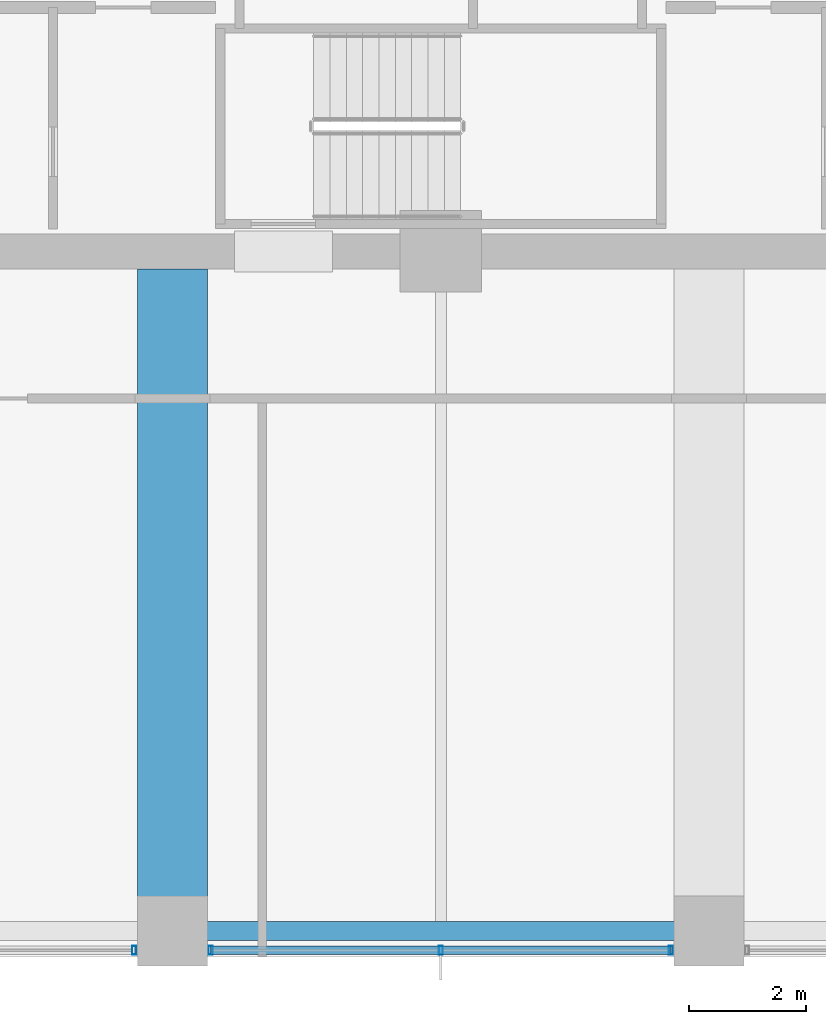
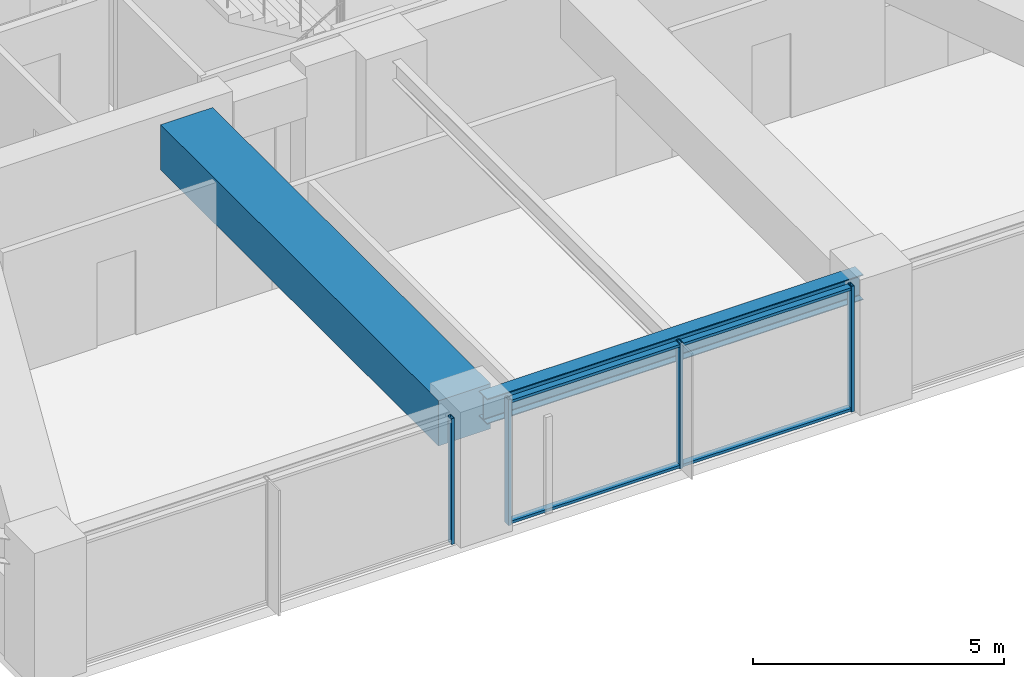
# One storey, part 5 of 39: 6 members, 2 beams, 2 elements without a shape of their own.
"""IFC4 building model written with IfcOpenShell, lengths in metres."""

import ifcopenshell
import ifcopenshell.guid

model = None  # the IFC model being written
_history = None  # IfcOwnerHistory: only IFC2X3 demands one
_inside = {}  # id of a spatial element -> (the spatial element, [elements in it])
_under = {}  # id of a project, library or spatial element -> (it, [spatial elements below it])
_declared = {}  # id of a project -> (the project, [libraries it declares])
_typed = {}  # id of a type object -> (the type object, [elements of that type])
_made_of = {}  # id of a material, layer set ... -> (it, [elements and type objects made of it])


def new_model(schema):
    """Start an empty IFC model of exactly this schema.

    Asked for "IFC4X3", IfcOpenShell would pick the latest addendum, in which some entities
    have other attributes; the version numbers below select the first issue.
    IFC2X3 requires an IfcOwnerHistory on every rooted entity: one is made here for all.
    """
    global model, _history
    if schema == "IFC4X3":
        model = ifcopenshell.file(schema_version=(4, 3, 0, 0))
    else:
        model = ifcopenshell.file(schema=schema)
    _inside.clear()
    _under.clear()
    _declared.clear()
    _typed.clear()
    _made_of.clear()
    _history = None
    if model.schema == "IFC2X3":
        org = make("IfcOrganization", Name="unknown")
        user = make(
            "IfcPersonAndOrganization",
            ThePerson=make("IfcPerson", FamilyName="unknown"),
            TheOrganization=org,
        )
        app = make(
            "IfcApplication",
            ApplicationDeveloper=org,
            Version="unknown",
            ApplicationFullName="unknown",
            ApplicationIdentifier="unknown",
        )
        _history = make(
            "IfcOwnerHistory",
            OwningUser=user,
            OwningApplication=app,
            ChangeAction="ADDED",
            CreationDate=0,
        )
    return model


def make(cls, **values):
    """One entity of the class cls with the attributes given. An attribute that is None is left unset."""
    return model.create_entity(
        cls, **{name: value for name, value in values.items() if value is not None}
    )


def rooted(cls, **values):
    """An entity with a GlobalId (a new one), such as an element, a storey or a relation."""
    return make(cls, GlobalId=ifcopenshell.guid.new(), OwnerHistory=_history, **values)


def si_unit(unit_type, name, prefix=None):
    """IfcSIUnit, for example si_unit("LENGTHUNIT", "METRE", prefix="MILLI")."""
    return make("IfcSIUnit", UnitType=unit_type, Prefix=prefix, Name=name)


def assignment(units):
    """IfcUnitAssignment: the units of a project."""
    return None if units is None else make("IfcUnitAssignment", Units=units)


def point(xyz):
    """IfcCartesianPoint."""
    return None if xyz is None else make("IfcCartesianPoint", Coordinates=xyz)


def direction(xyz):
    """IfcDirection."""
    return None if xyz is None else make("IfcDirection", DirectionRatios=xyz)


def frame(location, z_axis=None, x_axis=None):
    """IfcAxis2Placement3D, a coordinate frame: its origin and axes. An axis left out is left unset."""
    return make(
        "IfcAxis2Placement3D",
        Location=point(location),
        Axis=direction(z_axis),
        RefDirection=direction(x_axis),
    )


def frame_2d(location, x_axis=None):
    """IfcAxis2Placement2D, a coordinate frame in the plane: its origin and x axis."""
    return make(
        "IfcAxis2Placement2D", Location=point(location), RefDirection=direction(x_axis)
    )


def origin():
    """The frame at (0, 0, 0) with its axes left unset."""
    return frame((0.0, 0.0, 0.0))


def origin_2d():
    """The frame at (0, 0) in the plane with its x axis left unset."""
    return frame_2d((0.0, 0.0))


def place(relative_to, where):
    """IfcLocalPlacement: puts the frame where relative to a parent placement (None: the world)."""
    return make(
        "IfcLocalPlacement", PlacementRelTo=relative_to, RelativePlacement=where
    )


def context(
    kind, dimensions, precision=None, world=None, true_north=None, identifier=None
):
    """IfcGeometricRepresentationContext, for example the 3D "Model" context."""
    return make(
        "IfcGeometricRepresentationContext",
        ContextIdentifier=identifier,
        ContextType=kind,
        CoordinateSpaceDimension=dimensions,
        Precision=precision,
        WorldCoordinateSystem=world,
        TrueNorth=true_north,
    )


def subcontext(parent, identifier, kind, view, scale=None):
    """IfcGeometricRepresentationSubContext, for example "Body" below "Model"."""
    return make(
        "IfcGeometricRepresentationSubContext",
        ContextIdentifier=identifier,
        ContextType=kind,
        ParentContext=parent,
        TargetScale=scale,
        TargetView=view,
    )


def project(units=None, contexts=None):
    """IfcProject with its units and contexts."""
    return rooted(
        "IfcProject",
        Name="project",
        RepresentationContexts=contexts,
        UnitsInContext=assignment(units),
    )


def spatial(cls, under=None, at=None, **own):
    """A site, building, storey or space (cls), placed at a placement, below another one or the project."""
    s = rooted(cls, ObjectPlacement=at, **own)
    if under is not None:
        _under.setdefault(under.id(), (under, []))[1].append(s)
    return s


def profile(cls, at=None, kind="AREA", **sizes):
    """A parametric profile (cls). Its sizes go by their IFC names, for example OverallWidth=200.0."""
    return make(cls, ProfileType=kind, Position=at, **sizes)


def rectangle(**sizes):
    """IfcRectangleProfileDef."""
    return profile("IfcRectangleProfileDef", **sizes)


def hollow_rectangle(**sizes):
    """IfcRectangleHollowProfileDef."""
    return profile("IfcRectangleHollowProfileDef", **sizes)


def i_section(**sizes):
    """IfcIShapeProfileDef."""
    return profile("IfcIShapeProfileDef", **sizes)


def extrude(swept, where, along, depth):
    """IfcExtrudedAreaSolid: the profile swept, set in the frame where, extruded along a direction by depth."""
    return make(
        "IfcExtrudedAreaSolid",
        SweptArea=swept,
        Position=where,
        ExtrudedDirection=direction(along),
        Depth=depth,
    )


def shape(context_of_items, identifier, shape_type, items):
    """IfcShapeRepresentation: the items that make up one representation, for example the "Body"."""
    return make(
        "IfcShapeRepresentation",
        ContextOfItems=context_of_items,
        RepresentationIdentifier=identifier,
        RepresentationType=shape_type,
        Items=items,
    )


def material(Name=None, Category=None):
    """IfcMaterial."""
    return make("IfcMaterial", Name=Name, Category=Category)


def material_profile(
    of_material, cross_section, Name=None, Category=None, Priority=None
):
    """IfcMaterialProfile: a cross section and its material."""
    return make(
        "IfcMaterialProfile",
        Name=Name,
        Material=of_material,
        Profile=cross_section,
        Priority=Priority,
        Category=Category,
    )


def profile_set(profiles, Name=None, composite=None):
    """IfcMaterialProfileSet."""
    return make(
        "IfcMaterialProfileSet",
        Name=Name,
        MaterialProfiles=profiles,
        CompositeProfile=composite,
    )


def made_of(thing, what):
    """Note that an element or type object is made of a material, layer set ...; save() writes the relation."""
    if what is not None:
        _made_of.setdefault(what.id(), (what, []))[1].append(thing)
    return thing


def type_object(cls, material=None, **own):
    """A type object (cls), such as IfcWallType, which elements share."""
    return made_of(rooted(cls, **own), material)


def element(
    cls,
    number,
    at=None,
    inside=None,
    cuts=None,
    type_object=None,
    material=None,
    context=None,
    identifier="Body",
    shape_type=None,
    held_by="IfcProductDefinitionShape",
    body=None,
    shapes=None,
    **own,
):
    """One element of the class cls, such as IfcWall. Its Tag is "e" and its number.

    at: its placement. inside: the storey or other place that contains it. cuts: it is an
    opening in that element (IfcRelVoidsElement). A single representation is given by context,
    identifier, shape_type and body (its items); several are given by shapes. held_by: the class
    of the entity that holds the representations. save() writes the other relations.
    """
    e = rooted(cls, Tag="e%d" % number, ObjectPlacement=at, **own)
    if body is not None:
        shapes = [shape(context, identifier, shape_type, body)]
    if shapes is not None:
        e.Representation = make(held_by, Representations=shapes)
    if inside is not None:
        _inside.setdefault(inside.id(), (inside, []))[1].append(e)
    if cuts is not None:
        rooted(
            "IfcRelVoidsElement", RelatingBuildingElement=cuts, RelatedOpeningElement=e
        )
    if type_object is not None:
        _typed.setdefault(type_object.id(), (type_object, []))[1].append(e)
    return made_of(e, material)


def aggregate(whole, parts):
    """IfcRelAggregates: a whole, such as a stair, and the parts it consists of."""
    return rooted("IfcRelAggregates", RelatingObject=whole, RelatedObjects=parts)


def save(model, path):
    """Write the relations noted so far, then the file.

    IfcRelAggregates (storeys below a building ...), IfcRelContainedInSpatialStructure (elements
    in a storey), IfcRelDefinesByType, IfcRelAssociatesMaterial and IfcRelDeclares: one each for
    every whole, place, type object, material and project.
    """
    for whole, parts in _under.values():
        aggregate(whole, parts)
    for where, things in _inside.values():
        rooted(
            "IfcRelContainedInSpatialStructure",
            RelatedElements=things,
            RelatingStructure=where,
        )
    for kind, things in _typed.values():
        rooted("IfcRelDefinesByType", RelatedObjects=things, RelatingType=kind)
    for what, things in _made_of.values():
        rooted("IfcRelAssociatesMaterial", RelatedObjects=things, RelatingMaterial=what)
    for by, libraries in _declared.values():
        rooted("IfcRelDeclares", RelatingContext=by, RelatedDefinitions=libraries)
    model.write(path)


model = new_model("IFC4")

# Units and contexts
model_context = context("Model", 3, precision=1e-05, world=origin(), true_north=direction((0.0, 1.0)))
body_context = subcontext(model_context, "Body", "Model", "MODEL_VIEW")
ifc_project = project(units=[si_unit("LENGTHUNIT", "METRE"), si_unit("AREAUNIT", "SQUARE_METRE"), si_unit("VOLUMEUNIT", "CUBIC_METRE"), si_unit("PLANEANGLEUNIT", "RADIAN"), si_unit("MASSUNIT", "GRAM", prefix="KILO")], contexts=[model_context])

# Site, building, storey
site_placement = place(None, origin())
site = spatial("IfcSite", under=ifc_project, at=site_placement, CompositionType="ELEMENT")
building_placement = place(site_placement, origin())
building = spatial("IfcBuilding", under=site, at=building_placement, Name="Kolvaren Belvedere", CompositionType="ELEMENT")
storey_placement = place(building_placement, frame((0.0, 0.0, 33.699951171875)))
storey = spatial("IfcBuildingStorey", under=building, at=storey_placement, Name="L09", CompositionType="ELEMENT", Elevation=33.699951171875)

# Beams
ifc_material_1 = material(Name="Structural steel ASTM A992 Grade 50", Category="steel")
ifc_material_profile_1 = material_profile(ifc_material_1, i_section(OverallWidth=0.324951171875, OverallDepth=0.615966796875, WebThickness=0.013916015625, FlangeThickness=0.021484375, FilletRadius=0.02001953125, at=origin_2d()), Name="W24X117")
ifc_profile_set_1 = profile_set([ifc_material_profile_1], Name="Structural steel ASTM A992 Grade 50")
beam_type_1 = type_object("IfcBeamType", Name="BM-SPAN-W24X117", PredefinedType="SPANDREL", material=ifc_profile_set_1)
beam_1_placement = place(storey_placement, frame((-4.330078125, -21.550048828125, 2.751953125), z_axis=(1.0, 0.0, 0.0), x_axis=(0.0, 1.0, 0.0)))
element("IfcBeam", 1, at=beam_1_placement, inside=storey, type_object=beam_type_1, Name="L09 Perimeter Spandrel S2-S3", PredefinedType="SPANDREL", context=body_context, shape_type="SweptSolid", body=[
    extrude(i_section(OverallWidth=0.324951171875, OverallDepth=0.615966796875, WebThickness=0.013916015625, FlangeThickness=0.021484375, FilletRadius=0.02001953125, at=origin_2d()), origin(), (0.0, 0.0, 1.0), 8.66015625),
])
ifc_material_2 = material(Name="Concrete C50/60", Category="concrete")
ifc_material_profile_2 = material_profile(ifc_material_2, rectangle(XDim=1.199951171875, YDim=1.10009765625, at=origin_2d()), Name="RC 1200X1100")
ifc_profile_set_2 = profile_set([ifc_material_profile_2], Name="Concrete C50/60")
beam_type_2 = type_object("IfcBeamType", Name="BM-TG-1100", PredefinedType="BEAM", material=ifc_profile_set_2)
beam_2_placement = place(storey_placement, frame((-4.60009765625, -10.199951171875, 2.510009765625), z_axis=(0.0, -1.0, 0.0), x_axis=(1.0, 0.0, 0.0)))
element("IfcBeam", 2, at=beam_2_placement, inside=storey, type_object=beam_type_2, Name="L09 South Radial Girder M", PredefinedType="BEAM", context=body_context, shape_type="SweptSolid", body=[
    extrude(rectangle(XDim=1.199951171875, YDim=1.10009765625, at=origin_2d()), origin(), (0.0, 0.0, 1.0), 11.080078125),
])

# Curtain wall, members
ifc_material_3 = material(Name="Anodised pale-metal aluminium AA 6063-T6", Category="aluminium")
curtain_wall_type = type_object("IfcCurtainWallType", Name="CW-Z1-LOW", PredefinedType="NOTDEFINED", material=ifc_material_3)
curtain_wall_1_placement = place(storey_placement, origin())
curtain_wall_1 = element("IfcCurtainWall", 3, at=curtain_wall_1_placement, inside=storey, type_object=curtain_wall_type, Name="L09 Unitised Curtain Wall FCW-L09-S-B2", PredefinedType="NOTDEFINED")
ifc_material_4 = material(Name="Anodised pale-metal aluminium AA 6063-T6", Category="aluminium")
ifc_material_profile_3 = material_profile(ifc_material_4, hollow_rectangle(XDim=0.070068359375, YDim=0.14990234375, WallThickness=0.004150390625, at=origin_2d()), Name="ALU-MUL-150X70")
ifc_profile_set_3 = profile_set([ifc_material_profile_3], Name="Anodised pale-metal aluminium AA 6063-T6")
member_type_1 = type_object("IfcMemberType", Name="CW-MUL-150", PredefinedType="MULLION", material=ifc_profile_set_3)
member_1_placement = place(storey_placement, frame((3.945068359375, -21.8798828125, 0.0), z_axis=(0.0, 0.0, 1.0), x_axis=(1.0, 0.0, 0.0)))
member_1 = element("IfcMember", 4, at=member_1_placement, type_object=member_type_1, Name="FCW-L09-S-B2 Unitised Mullion 1", PredefinedType="MULLION", context=body_context, shape_type="SweptSolid", body=[
    extrude(hollow_rectangle(XDim=0.070068359375, YDim=0.14990234375, WallThickness=0.004150390625, at=origin_2d()), origin(), (0.0, 0.0, 1.0), 3.06005859375),
])
member_2_placement = place(storey_placement, frame((0.0, -21.8798828125, 0.0), z_axis=(0.0, 0.0, 1.0), x_axis=(1.0, 0.0, 0.0)))
member_2 = element("IfcMember", 5, at=member_2_placement, type_object=member_type_1, Name="FCW-L09-S-B2 Unitised Mullion 2", PredefinedType="MULLION", context=body_context, shape_type="SweptSolid", body=[
    extrude(hollow_rectangle(XDim=0.070068359375, YDim=0.14990234375, WallThickness=0.004150390625, at=origin_2d()), origin(), (0.0, 0.0, 1.0), 3.06005859375),
])
member_3_placement = place(storey_placement, frame((-3.945068359375, -21.8798828125, 0.0), z_axis=(0.0, 0.0, 1.0), x_axis=(1.0, 0.0, 0.0)))
member_3 = element("IfcMember", 6, at=member_3_placement, type_object=member_type_1, Name="FCW-L09-S-B2 Unitised Mullion 3", PredefinedType="MULLION", context=body_context, shape_type="SweptSolid", body=[
    extrude(hollow_rectangle(XDim=0.070068359375, YDim=0.14990234375, WallThickness=0.004150390625, at=origin_2d()), origin(), (0.0, 0.0, 1.0), 3.06005859375),
])

# Curtain wall, member
curtain_wall_2_placement = place(storey_placement, origin())
curtain_wall_2 = element("IfcCurtainWall", 7, at=curtain_wall_2_placement, inside=storey, type_object=curtain_wall_type, Name="L09 Unitised Curtain Wall FCW-L09-S-B3", PredefinedType="NOTDEFINED")
member_4_placement = place(storey_placement, frame((-5.2548828125, -21.8798828125, 0.0), z_axis=(0.0, 0.0, 1.0), x_axis=(1.0, 0.0, 0.0)))
member_4 = element("IfcMember", 8, at=member_4_placement, type_object=member_type_1, Name="FCW-L09-S-B3 Unitised Mullion 1", PredefinedType="MULLION", context=body_context, shape_type="SweptSolid", body=[
    extrude(hollow_rectangle(XDim=0.070068359375, YDim=0.14990234375, WallThickness=0.004150390625, at=origin_2d()), origin(), (0.0, 0.0, 1.0), 3.06005859375),
])
aggregate(curtain_wall_2, [member_4])

# Member
ifc_material_5 = material(Name="Anodised pale-metal aluminium AA 6063-T6", Category="aluminium")
ifc_material_profile_4 = material_profile(ifc_material_5, hollow_rectangle(XDim=0.06494140625, YDim=0.14990234375, WallThickness=0.00390625, at=origin_2d()), Name="ALU-TRN-150X65")
ifc_profile_set_4 = profile_set([ifc_material_profile_4], Name="Anodised pale-metal aluminium AA 6063-T6")
member_type_2 = type_object("IfcMemberType", Name="CW-TRN-150", PredefinedType="USERDEFINED", material=ifc_profile_set_4)
member_5_placement = place(storey_placement, frame((3.945068359375, -21.8798828125, 0.06005859375), z_axis=(-1.0, 0.0, 0.0), x_axis=(0.0, 0.0, 1.0)))
member_5 = element("IfcMember", 9, at=member_5_placement, type_object=member_type_2, Name="FCW-L09-S-B2 Sill Transom", ObjectType="TRANSOM", PredefinedType="USERDEFINED", context=body_context, shape_type="SweptSolid", body=[
    extrude(hollow_rectangle(XDim=0.06494140625, YDim=0.14990234375, WallThickness=0.00390625, at=origin_2d()), origin(), (0.0, 0.0, 1.0), 7.89013671875),
])

member_6_placement = place(storey_placement, frame((3.945068359375, -21.8798828125, 3.0), z_axis=(-1.0, 0.0, 0.0), x_axis=(0.0, 0.0, 1.0)))
member_6 = element("IfcMember", 10, at=member_6_placement, type_object=member_type_2, Name="FCW-L09-S-B2 Head Transom", ObjectType="TRANSOM", PredefinedType="USERDEFINED", context=body_context, shape_type="SweptSolid", body=[
    extrude(hollow_rectangle(XDim=0.06494140625, YDim=0.14990234375, WallThickness=0.00390625, at=origin_2d()), origin(), (0.0, 0.0, 1.0), 7.89013671875),
])

aggregate(curtain_wall_1, [member_1, member_2, member_3, member_5, member_6])

save(model, "model.ifc")
